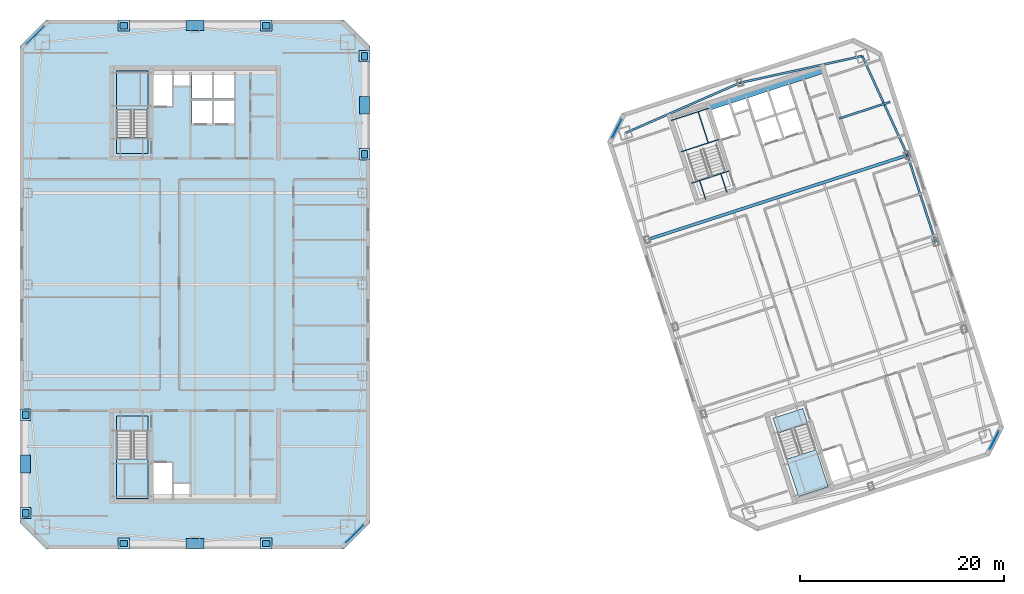
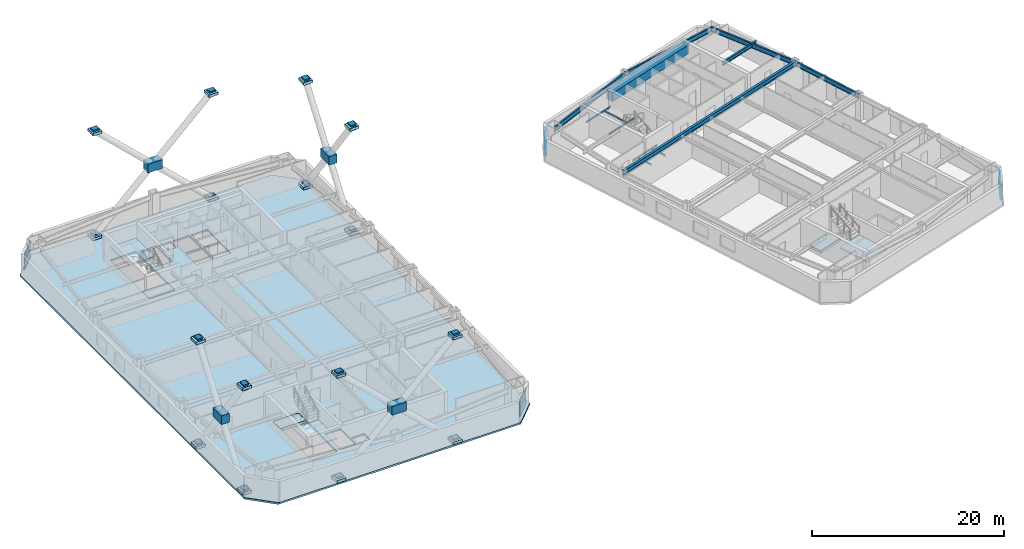
# One storey, part 15 of 25: 44 plates, 13 beams, 7 slabs, 7 elements without a shape of their own.
"""IFC4 building model written with IfcOpenShell, lengths in metres."""

from ifc_helpers import new_model, si_unit, direction, frame, origin, origin_2d, place, context, subcontext, project, spatial, polyline, rectangle, i_section, outline, extrude, material, layer, layer_set, material_profile, profile_set, type_object, element, aggregate, save


model = new_model("IFC4")

# Units and contexts
model_context = context("Model", 3, precision=1e-05, world=origin(), true_north=direction((0.0, 1.0)))
body_context = subcontext(model_context, "Body", "Model", "MODEL_VIEW")
ifc_project = project(units=[si_unit("LENGTHUNIT", "METRE"), si_unit("AREAUNIT", "SQUARE_METRE"), si_unit("VOLUMEUNIT", "CUBIC_METRE"), si_unit("PLANEANGLEUNIT", "RADIAN"), si_unit("MASSUNIT", "GRAM", prefix="KILO")], contexts=[model_context])

# Site, building, storey
site_placement = place(None, origin())
site = spatial("IfcSite", under=ifc_project, at=site_placement, CompositionType="ELEMENT")
building_placement = place(site_placement, origin())
building = spatial("IfcBuilding", under=site, at=building_placement, Name="Qiaolan Cultural Towers", CompositionType="ELEMENT")
storey_placement = place(building_placement, frame((0.0, 0.0, 202.39990234375)))
storey = spatial("IfcBuildingStorey", under=building, at=storey_placement, Name="L54", CompositionType="ELEMENT", Elevation=202.39990234375)

# Beams
ifc_material_1 = material(Name="Steel Q355B", Category="steel")
ifc_material_profile_1 = material_profile(ifc_material_1, i_section(OverallWidth=0.300048828125, OverallDepth=0.587890625, WebThickness=0.011962890625, FlangeThickness=0.02001953125, at=origin_2d()), Name="HM588x300x12x20")
ifc_profile_set_1 = profile_set([ifc_material_profile_1], Name="Steel Q355B")
beam_type_1 = type_object("IfcBeamType", Name="BM-HM588x300x12x20", PredefinedType="BEAM", material=ifc_profile_set_1)
beam_1_placement = place(storey_placement, frame((74.42724609375, 38.4033203125, 2.89599609375), z_axis=(0.951056543098, 0.309016911884, 0.0), x_axis=(-0.309016911884, 0.951056543098, 0.0)))
element("IfcBeam", 1, at=beam_1_placement, inside=storey, type_object=beam_type_1, Name="L54 T2 Primary Transverse Girder V3", PredefinedType="BEAM", context=body_context, shape_type="SweptSolid", body=[
    extrude(i_section(OverallWidth=0.300048828125, OverallDepth=0.587890625, WebThickness=0.011962890625, FlangeThickness=0.02001953125, at=origin_2d()), origin(), (0.0, 0.0, 1.0), 26.89990234375),
])
ifc_material_2 = material(Name="Steel Q355B", Category="steel")
ifc_material_profile_2 = material_profile(ifc_material_2, i_section(OverallWidth=0.199951171875, OverallDepth=0.449951171875, WebThickness=0.009033203125, FlangeThickness=0.013916015625, at=origin_2d()), Name="HN450x200x9x14")
ifc_profile_set_2 = profile_set([ifc_material_profile_2], Name="Steel Q355B")
beam_type_2 = type_object("IfcBeamType", Name="BM-LNT-HN450x200x9x14", PredefinedType="LINTEL", material=ifc_profile_set_2)
beam_2_placement = place(storey_placement, frame((93.31787109375, 50.32421875, 2.965087890625), z_axis=(0.951060037126, 0.309006158161, 0.0), x_axis=(-0.309006158161, 0.951060037126, 0.0)))
element("IfcBeam", 2, at=beam_2_placement, inside=storey, type_object=beam_type_2, Name="L54 T2 Core Flank Tie Lintel EN", PredefinedType="LINTEL", context=body_context, shape_type="SweptSolid", body=[
    extrude(i_section(OverallWidth=0.199951171875, OverallDepth=0.449951171875, WebThickness=0.009033203125, FlangeThickness=0.013916015625, at=origin_2d()), origin(), (0.0, 0.0, 1.0), 5.25),
])
ifc_material_3 = material(Name="Concrete C50", Category="concrete")
ifc_material_profile_3 = material_profile(ifc_material_3, rectangle(XDim=0.89990234375, YDim=1.10009765625, at=origin_2d()), Name="RC900x1100")
ifc_profile_set_3 = profile_set([ifc_material_profile_3], Name="Concrete C50")
beam_type_3 = type_object("IfcBeamType", Name="BM-RC900x1100", PredefinedType="BEAM", material=ifc_profile_set_3)
beam_3_placement = place(storey_placement, frame((80.427978515625, 51.551025390625, 2.64013671875), z_axis=(0.951056266386, 0.309017763514, 0.0), x_axis=(-0.309017763514, 0.951056266386, 0.0)))
element("IfcBeam", 3, at=beam_3_placement, inside=storey, type_object=beam_type_3, Name="L54 T2 Core Header Girder N", PredefinedType="BEAM", context=body_context, shape_type="SweptSolid", body=[
    extrude(rectangle(XDim=0.89990234375, YDim=1.10009765625, at=origin_2d()), origin(), (0.0, 0.0, 1.0), 11.880126953125),
])
ifc_material_4 = material(Name="Steel Q355B", Category="steel")
ifc_material_profile_4 = material_profile(ifc_material_4, i_section(OverallWidth=0.199951171875, OverallDepth=0.60009765625, WebThickness=0.010986328125, FlangeThickness=0.01708984375, at=origin_2d()), Name="HN600x200x11x17")
ifc_profile_set_4 = profile_set([ifc_material_profile_4], Name="Steel Q355B")
beam_type_4 = type_object("IfcBeamType", Name="BM-SPD-HN600x200x11x17", PredefinedType="SPANDREL", material=ifc_profile_set_4)
beam_4_placement = place(storey_placement, frame((102.791748046875, 38.15625, 2.89013671875), z_axis=(-0.309024734286, 0.951054001411, 0.0), x_axis=(-0.951054001411, -0.309024734286, 0.0)))
element("IfcBeam", 4, at=beam_4_placement, inside=storey, type_object=beam_type_4, Name="L54 T2 Perimeter Spandrel Beam 5", PredefinedType="SPANDREL", context=body_context, shape_type="SweptSolid", body=[
    extrude(i_section(OverallWidth=0.199951171875, OverallDepth=0.60009765625, WebThickness=0.010986328125, FlangeThickness=0.01708984375, at=origin_2d()), origin(), (0.0, 0.0, 1.0), 9.0),
])
beam_5_placement = place(storey_placement, frame((100.010498046875, 46.7158203125, 2.89013671875), z_axis=(-0.414500208282, 0.910049216985, 0.0), x_axis=(-0.910049216985, -0.414500208282, 0.0)))
element("IfcBeam", 5, at=beam_5_placement, inside=storey, type_object=beam_type_4, Name="L54 T2 Perimeter Spandrel Beam 6", PredefinedType="SPANDREL", context=body_context, shape_type="SweptSolid", body=[
    extrude(i_section(OverallWidth=0.199951171875, OverallDepth=0.60009765625, WebThickness=0.010986328125, FlangeThickness=0.01708984375, at=origin_2d()), origin(), (0.0, 0.0, 1.0), 10.70849609375),
])
beam_6_placement = place(storey_placement, frame((95.57177734375, 56.461181640625, 2.89013671875), z_axis=(-0.976843395078, -0.213955559619, 0.0), x_axis=(0.213955559619, -0.976843395078, 0.0)))
element("IfcBeam", 6, at=beam_6_placement, inside=storey, type_object=beam_type_4, Name="L54 T2 Perimeter Spandrel Beam 7", PredefinedType="SPANDREL", context=body_context, shape_type="SweptSolid", body=[
    extrude(i_section(OverallWidth=0.199951171875, OverallDepth=0.60009765625, WebThickness=0.010986328125, FlangeThickness=0.01708984375, at=origin_2d()), origin(), (0.0, 0.0, 1.0), 12.2998046875),
])
beam_7_placement = place(storey_placement, frame((83.556884765625, 53.82958984375, 2.89013671875), z_axis=(-0.916042038824, -0.401082264762, 0.0), x_axis=(0.401082264762, -0.916042038824, 0.0)))
element("IfcBeam", 7, at=beam_7_placement, inside=storey, type_object=beam_type_4, Name="L54 T2 Perimeter Spandrel Beam 8", PredefinedType="SPANDREL", context=body_context, shape_type="SweptSolid", body=[
    extrude(i_section(OverallWidth=0.199951171875, OverallDepth=0.60009765625, WebThickness=0.010986328125, FlangeThickness=0.01708984375, at=origin_2d()), origin(), (0.0, 0.0, 1.0), 12.299560546875),
])
ifc_material_5 = material(Name="Steel Q355B", Category="steel")
ifc_material_profile_5 = material_profile(ifc_material_5, i_section(OverallWidth=0.10009765625, OverallDepth=0.199951171875, WebThickness=0.005615234375, FlangeThickness=0.008056640625, at=origin_2d()), Name="HN200x100x5.5x8")
ifc_profile_set_5 = profile_set([ifc_material_profile_5], Name="Steel Q355B")
beam_type_5 = type_object("IfcBeamType", Name="BM-STTRIM-200", PredefinedType="BEAM", material=ifc_profile_set_5)
beam_8_placement = place(storey_placement, frame((78.773193359375, 43.958251953125, -0.4599609375), z_axis=(0.951072048947, 0.3089691857, 0.0), x_axis=(-0.3089691857, 0.951072048947, 0.0)))
element("IfcBeam", 8, at=beam_8_placement, inside=storey, type_object=beam_type_5, Name="L54 ST-E2 Floor Landing Header Beam", PredefinedType="BEAM", context=body_context, shape_type="SweptSolid", body=[
    extrude(i_section(OverallWidth=0.10009765625, OverallDepth=0.199951171875, WebThickness=0.005615234375, FlangeThickness=0.008056640625, at=origin_2d()), origin(), (0.0, 0.0, 1.0), 3.920166015625),
])
for number, where, z_axis, x_axis, name in (
    (9, (80.18115234375, 42.375732421875, -0.4599609375), (-0.308969394428, 0.951071981138, 0.0), (-0.951071981138, -0.308969394428, 0.0), "L54 ST-E2 Floor Landing Stringer 1"),
    (10, (82.2734375, 43.0556640625, -0.4599609375), (-0.308969394428, 0.951071981138, 0.0), (-0.951071981138, -0.308969394428, 0.0), "L54 ST-E2 Floor Landing Stringer 2"),
):
    element("IfcBeam", number, at=place(storey_placement, frame(where, z_axis=z_axis, x_axis=x_axis)), inside=storey, type_object=beam_type_5, Name=name, PredefinedType="BEAM", context=body_context, shape_type="SweptSolid", body=[
        extrude(i_section(OverallWidth=0.10009765625, OverallDepth=0.199951171875, WebThickness=0.005615234375, FlangeThickness=0.008056640625, at=origin_2d()), origin(), (0.0, 0.0, 1.0), 1.93994140625),
    ])
for number, where, z_axis, x_axis, name in (
    (11, (77.769287109375, 47.0478515625, 1.425048828125), (0.951053746643, 0.309025518358, 0.0), (-0.309025518358, 0.951053746643, 0.0), "L54 ST-E2 Stair Landing Support Beam 1-1"),
    (12, (76.770751953125, 50.12109375, 1.425048828125), (0.951072048947, 0.3089691857, 0.0), (-0.3089691857, 0.951072048947, 0.0), "L54 ST-E2 Stair Landing Support Beam 1-2"),
):
    element("IfcBeam", number, at=place(storey_placement, frame(where, z_axis=z_axis, x_axis=x_axis)), inside=storey, type_object=beam_type_5, Name=name, PredefinedType="BEAM", context=body_context, shape_type="SweptSolid", body=[
        extrude(i_section(OverallWidth=0.10009765625, OverallDepth=0.199951171875, WebThickness=0.005615234375, FlangeThickness=0.008056640625, at=origin_2d()), origin(), (0.0, 0.0, 1.0), 3.920166015625),
    ])
beam_9_placement = place(storey_placement, frame((80.44189453125, 47.916259765625, 1.425048828125), z_axis=(-0.309033108495, 0.951051280349, 0.0), x_axis=(-0.951051280349, -0.309033108495, 0.0)))
element("IfcBeam", 13, at=beam_9_placement, inside=storey, type_object=beam_type_5, Name="L54 ST-E2 Stair Landing Trimmer 1", PredefinedType="BEAM", context=body_context, shape_type="SweptSolid", body=[
    extrude(i_section(OverallWidth=0.10009765625, OverallDepth=0.199951171875, WebThickness=0.005615234375, FlangeThickness=0.008056640625, at=origin_2d()), origin(), (0.0, 0.0, 1.0), 3.231201171875),
])

# Curtain wall, plates
ifc_material_6 = material(Name="Unitized Anodized Aluminium Curtain Wall System", Category="aluminium")
ifc_layer_1 = layer(ifc_material_6, 0.199951171875)
ifc_layer_set_1 = layer_set([ifc_layer_1], Name="Unitized Anodized Aluminium Curtain Wall System")
curtain_wall_type = type_object("IfcCurtainWallType", Name="CWS-05", PredefinedType="NOTDEFINED", material=ifc_layer_set_1)
curtain_wall_1_placement = place(storey_placement, origin())
curtain_wall_1 = element("IfcCurtainWall", 14, at=curtain_wall_1_placement, inside=storey, type_object=curtain_wall_type, Name="L54 T1 Chamfer Wind-Corner Feature Curtain Wall 1", PredefinedType="NOTDEFINED")
ifc_material_7 = material(Name="Laminated Low-E Insulating Glass Unit", Category="glass")
ifc_layer_2 = layer(ifc_material_7, 0.035888671875)
ifc_layer_set_2 = layer_set([ifc_layer_2], Name="Laminated Low-E Insulating Glass Unit")
plate_type_1 = type_object("IfcPlateType", Name="CWS-05-PNL", PredefinedType="CURTAIN_PANEL", material=ifc_layer_set_2)
plate_1_placement = place(storey_placement, frame((14.300048828125, 58.5, 0.215087890625), z_axis=(0.0, 0.0, 1.0), x_axis=(0.707106781187, 0.707106781187, 0.0)))
plate_1 = element("IfcPlate", 15, at=plate_1_placement, type_object=plate_type_1, Name="CW-5 panel 1.1", PredefinedType="CURTAIN_PANEL", context=body_context, shape_type="SweptSolid", body=[
    extrude(rectangle(XDim=2.350341796875, YDim=0.035888671875, at=origin_2d()), origin(), (0.0, 0.0, 1.0), 1.00244140625),
])
plate_2_placement = place(storey_placement, frame((14.300048828125, 58.5, 1.282470703125), z_axis=(0.0, 0.0, 1.0), x_axis=(0.707106781187, 0.707106781187, 0.0)))
plate_2 = element("IfcPlate", 16, at=plate_2_placement, type_object=plate_type_1, Name="CW-5 panel 1.2", PredefinedType="CURTAIN_PANEL", context=body_context, shape_type="SweptSolid", body=[
    extrude(rectangle(XDim=2.350341796875, YDim=0.035888671875, at=origin_2d()), origin(), (0.0, 0.0, 1.0), 1.16259765625),
])
aggregate(curtain_wall_1, [plate_1, plate_2])

curtain_wall_2_placement = place(storey_placement, origin())
curtain_wall_2 = element("IfcCurtainWall", 17, at=curtain_wall_2_placement, inside=storey, type_object=curtain_wall_type, Name="L54 T1 Chamfer Wind-Corner Feature Curtain Wall 2", PredefinedType="NOTDEFINED")
plate_3_placement = place(storey_placement, frame((45.699951171875, 9.5, 0.215087890625), z_axis=(0.0, 0.0, 1.0), x_axis=(-0.707106781187, -0.707106781187, 0.0)))
plate_3 = element("IfcPlate", 18, at=plate_3_placement, type_object=plate_type_1, Name="CW-5 panel 1.1", PredefinedType="CURTAIN_PANEL", context=body_context, shape_type="SweptSolid", body=[
    extrude(rectangle(XDim=2.350341796875, YDim=0.035888671875, at=origin_2d()), origin(), (0.0, 0.0, 1.0), 1.00244140625),
])
plate_4_placement = place(storey_placement, frame((45.699951171875, 9.5, 1.282470703125), z_axis=(0.0, 0.0, 1.0), x_axis=(-0.707106781187, -0.707106781187, 0.0)))
plate_4 = element("IfcPlate", 19, at=plate_4_placement, type_object=plate_type_1, Name="CW-5 panel 1.2", PredefinedType="CURTAIN_PANEL", context=body_context, shape_type="SweptSolid", body=[
    extrude(rectangle(XDim=2.350341796875, YDim=0.035888671875, at=origin_2d()), origin(), (0.0, 0.0, 1.0), 1.16259765625),
])
aggregate(curtain_wall_2, [plate_3, plate_4])

curtain_wall_3_placement = place(storey_placement, origin())
curtain_wall_3 = element("IfcCurtainWall", 20, at=curtain_wall_3_placement, inside=storey, type_object=curtain_wall_type, Name="L54 T2 Chamfer Wind-Corner Feature Curtain Wall 1", PredefinedType="NOTDEFINED")
plate_5_placement = place(storey_placement, frame((71.458251953125, 49.320068359375, 0.215087890625), z_axis=(0.0, 0.0, 1.0), x_axis=(0.45399044755, 0.89100655078, 0.0)))
plate_5 = element("IfcPlate", 21, at=plate_5_placement, type_object=plate_type_1, Name="CW-5 panel 1.1", PredefinedType="CURTAIN_PANEL", context=body_context, shape_type="SweptSolid", body=[
    extrude(rectangle(XDim=1.965576171875, YDim=0.035888671875, at=origin_2d()), origin(), (0.0, 0.0, 1.0), 1.00244140625),
])
plate_6_placement = place(storey_placement, frame((71.458251953125, 49.320068359375, 1.282470703125), z_axis=(0.0, 0.0, 1.0), x_axis=(0.45399044755, 0.89100655078, 0.0)))
plate_6 = element("IfcPlate", 22, at=plate_6_placement, type_object=plate_type_1, Name="CW-5 panel 1.2", PredefinedType="CURTAIN_PANEL", context=body_context, shape_type="SweptSolid", body=[
    extrude(rectangle(XDim=1.965576171875, YDim=0.035888671875, at=origin_2d()), origin(), (0.0, 0.0, 1.0), 1.16259765625),
])
aggregate(curtain_wall_3, [plate_5, plate_6])

curtain_wall_4_placement = place(storey_placement, origin())
curtain_wall_4 = element("IfcCurtainWall", 23, at=curtain_wall_4_placement, inside=storey, type_object=curtain_wall_type, Name="L54 T2 Chamfer Wind-Corner Feature Curtain Wall 2", PredefinedType="NOTDEFINED")
plate_7_placement = place(storey_placement, frame((108.541748046875, 18.679931640625, 0.215087890625), z_axis=(0.0, 0.0, 1.0), x_axis=(-0.45399044755, -0.89100655078, 0.0)))
plate_7 = element("IfcPlate", 24, at=plate_7_placement, type_object=plate_type_1, Name="CW-5 panel 1.1", PredefinedType="CURTAIN_PANEL", context=body_context, shape_type="SweptSolid", body=[
    extrude(rectangle(XDim=1.965576171875, YDim=0.035888671875, at=origin_2d()), origin(), (0.0, 0.0, 1.0), 1.00244140625),
])
plate_8_placement = place(storey_placement, frame((108.541748046875, 18.679931640625, 1.282470703125), z_axis=(0.0, 0.0, 1.0), x_axis=(-0.45399044755, -0.89100655078, 0.0)))
plate_8 = element("IfcPlate", 25, at=plate_8_placement, type_object=plate_type_1, Name="CW-5 panel 1.2", PredefinedType="CURTAIN_PANEL", context=body_context, shape_type="SweptSolid", body=[
    extrude(rectangle(XDim=1.965576171875, YDim=0.035888671875, at=origin_2d()), origin(), (0.0, 0.0, 1.0), 1.16259765625),
])
aggregate(curtain_wall_4, [plate_7, plate_8])

# Plates
ifc_material_8 = material(Name="Steel Q355B", Category="steel")
ifc_layer_3 = layer(ifc_material_8, 0.035888671875)
ifc_layer_set_3 = layer_set([ifc_layer_3], Name="Steel Q355B")
plate_type_2 = type_object("IfcPlateType", Name="PL-CONN-36", PredefinedType="USERDEFINED", material=ifc_layer_set_3)
for number, where, z_axis, x_axis, name in (
    (26, (13.35009765625, 11.550048828125, -0.2197265625), (0.0, 0.0, 1.0), (0.0, 1.0, 0.0), "L54 Brace End Connection Gusset Plate GP-02-0348"),
    (27, (13.35009765625, 21.199951171875, 13.1298828125), (0.0, 0.0, 1.0), (0.0, 1.0, 0.0), "L54 Brace End Connection Gusset Plate GP-02-0349"),
    (28, (13.35009765625, 21.199951171875, -0.2197265625), (0.0, 0.0, 1.0), (0.0, 1.0, 0.0), "L54 Brace End Connection Gusset Plate GP-02-0350"),
    (29, (13.35009765625, 11.550048828125, 13.1298828125), (0.0, 0.0, 1.0), (0.0, 1.0, 0.0), "L54 Brace End Connection Gusset Plate GP-02-0351"),
    (30, (46.64990234375, 46.800048828125, -0.2197265625), (0.0, 0.0, 1.0), (0.0, 1.0, 0.0), "L54 Brace End Connection Gusset Plate GP-02-0352"),
    (31, (46.64990234375, 56.449951171875, 13.1298828125), (0.0, 0.0, 1.0), (0.0, 1.0, 0.0), "L54 Brace End Connection Gusset Plate GP-02-0353"),
    (32, (46.64990234375, 56.449951171875, -0.2197265625), (0.0, 0.0, 1.0), (0.0, 1.0, 0.0), "L54 Brace End Connection Gusset Plate GP-02-0354"),
    (33, (46.64990234375, 46.800048828125, 13.1298828125), (0.0, 0.0, 1.0), (0.0, 1.0, 0.0), "L54 Brace End Connection Gusset Plate GP-02-0355"),
    (34, (23.0, 8.550048828125, -0.2197265625), (0.0, 0.0, 1.0), (1.0, 0.0, 0.0), "L54 Brace End Connection Gusset Plate GP-02-0356"),
    (35, (37.0, 8.550048828125, 13.1298828125), (0.0, 0.0, 1.0), (1.0, 0.0, 0.0), "L54 Brace End Connection Gusset Plate GP-02-0357"),
    (36, (37.0, 8.550048828125, -0.2197265625), (0.0, 0.0, 1.0), (1.0, 0.0, 0.0), "L54 Brace End Connection Gusset Plate GP-02-0358"),
    (37, (23.0, 8.550048828125, 13.1298828125), (0.0, 0.0, 1.0), (1.0, 0.0, 0.0), "L54 Brace End Connection Gusset Plate GP-02-0359"),
    (38, (23.0, 59.449951171875, -0.2197265625), (0.0, 0.0, 1.0), (1.0, 0.0, 0.0), "L54 Brace End Connection Gusset Plate GP-02-0360"),
    (39, (37.0, 59.449951171875, 13.1298828125), (0.0, 0.0, 1.0), (1.0, 0.0, 0.0), "L54 Brace End Connection Gusset Plate GP-02-0361"),
    (40, (37.0, 59.449951171875, -0.2197265625), (0.0, 0.0, 1.0), (1.0, 0.0, 0.0), "L54 Brace End Connection Gusset Plate GP-02-0362"),
    (41, (23.0, 59.449951171875, 13.1298828125), (0.0, 0.0, 1.0), (1.0, 0.0, 0.0), "L54 Brace End Connection Gusset Plate GP-02-0363"),
):
    element("IfcPlate", number, at=place(storey_placement, frame(where, z_axis=z_axis, x_axis=x_axis)), inside=storey, type_object=plate_type_2, Name=name, ObjectType="GUSSET_PLATE", PredefinedType="USERDEFINED", context=body_context, shape_type="SweptSolid", body=[
        extrude(rectangle(XDim=0.739990234375, YDim=0.6201171875, at=origin_2d()), origin(), (0.0, 0.0, 1.0), 0.739990234375),
    ])
ifc_material_9 = material(Name="Steel Q355B", Category="steel")
ifc_layer_4 = layer(ifc_material_9, 0.030029296875)
ifc_layer_set_4 = layer_set([ifc_layer_4], Name="Steel Q355B")
plate_type_3 = type_object("IfcPlateType", Name="PL-ENDCAP-30", PredefinedType="USERDEFINED", material=ifc_layer_set_4)
for number, where, z_axis, x_axis, name in (
    (42, (13.35009765625, 11.550048828125, -0.02490234375), (0.0, 0.0, 1.0), (0.0, 1.0, 0.0), "Hollow Brace End Seal Cap Plate CP-01"),
    (43, (13.35009765625, 21.199951171875, -0.02490234375), (0.0, 0.0, 1.0), (0.0, 1.0, 0.0), "Hollow Brace End Seal Cap Plate CP-01"),
    (44, (13.35009765625, 11.550048828125, 13.324951171875), (0.0, 0.0, 1.0), (0.0, 1.0, 0.0), "Hollow Brace End Seal Cap Plate CP-01"),
    (45, (13.35009765625, 21.199951171875, 13.324951171875), (0.0, 0.0, 1.0), (0.0, 1.0, 0.0), "Hollow Brace End Seal Cap Plate CP-01"),
    (46, (46.64990234375, 46.800048828125, -0.02490234375), (0.0, 0.0, 1.0), (0.0, 1.0, 0.0), "Hollow Brace End Seal Cap Plate CP-01"),
    (47, (46.64990234375, 56.449951171875, -0.02490234375), (0.0, 0.0, 1.0), (0.0, 1.0, 0.0), "Hollow Brace End Seal Cap Plate CP-01"),
    (48, (46.64990234375, 46.800048828125, 13.324951171875), (0.0, 0.0, 1.0), (0.0, 1.0, 0.0), "Hollow Brace End Seal Cap Plate CP-01"),
    (49, (46.64990234375, 56.449951171875, 13.324951171875), (0.0, 0.0, 1.0), (0.0, 1.0, 0.0), "Hollow Brace End Seal Cap Plate CP-01"),
    (50, (23.0, 8.550048828125, -0.02490234375), (0.0, 0.0, 1.0), (1.0, 0.0, 0.0), "Hollow Brace End Seal Cap Plate CP-01"),
    (51, (37.0, 8.550048828125, -0.02490234375), (0.0, 0.0, 1.0), (1.0, 0.0, 0.0), "Hollow Brace End Seal Cap Plate CP-01"),
    (52, (23.0, 8.550048828125, 13.324951171875), (0.0, 0.0, 1.0), (1.0, 0.0, 0.0), "Hollow Brace End Seal Cap Plate CP-01"),
    (53, (37.0, 8.550048828125, 13.324951171875), (0.0, 0.0, 1.0), (1.0, 0.0, 0.0), "Hollow Brace End Seal Cap Plate CP-01"),
    (54, (23.0, 59.449951171875, -0.02490234375), (0.0, 0.0, 1.0), (1.0, 0.0, 0.0), "Hollow Brace End Seal Cap Plate CP-01"),
    (55, (37.0, 59.449951171875, -0.02490234375), (0.0, 0.0, 1.0), (1.0, 0.0, 0.0), "Hollow Brace End Seal Cap Plate CP-01"),
    (56, (23.0, 59.449951171875, 13.324951171875), (0.0, 0.0, 1.0), (1.0, 0.0, 0.0), "Hollow Brace End Seal Cap Plate CP-01"),
    (57, (37.0, 59.449951171875, 13.324951171875), (0.0, 0.0, 1.0), (1.0, 0.0, 0.0), "Hollow Brace End Seal Cap Plate CP-01"),
):
    element("IfcPlate", number, at=place(storey_placement, frame(where, z_axis=z_axis, x_axis=x_axis)), inside=storey, type_object=plate_type_3, Name=name, ObjectType="BASE_PLATE", PredefinedType="USERDEFINED", context=body_context, shape_type="SweptSolid", body=[
        extrude(rectangle(XDim=1.10009765625, YDim=1.10009765625, at=origin_2d()), origin(), (0.0, 0.0, 1.0), 0.35009765625),
    ])
ifc_material_10 = material(Name="Steel Q390GJB", Category="steel")
ifc_layer_5 = layer(ifc_material_10, 0.0439453125)
ifc_layer_set_5 = layer_set([ifc_layer_5], Name="Steel Q390GJB")
plate_type_4 = type_object("IfcPlateType", Name="PL-NODE-ND02", PredefinedType="USERDEFINED", material=ifc_layer_set_5)
plate_9_placement = place(storey_placement, frame((13.35009765625, 16.375, 6.275146484375), z_axis=(0.0, 0.0, 1.0), x_axis=(0.0, 1.0, 0.0)))
element("IfcPlate", 58, at=plate_9_placement, inside=storey, type_object=plate_type_4, Name="Perimeter Frame Gusset Node Assembly ND-02", ObjectType="GUSSET_PLATE", PredefinedType="USERDEFINED", context=body_context, shape_type="SweptSolid", body=[
    extrude(rectangle(XDim=1.760009765625, YDim=0.9599609375, at=origin_2d()), origin(), (0.0, 0.0, 1.0), 1.10009765625),
])
ifc_material_11 = material(Name="Steel Q390GJB", Category="steel")
ifc_layer_6 = layer(ifc_material_11, 0.0458984375)
ifc_layer_set_6 = layer_set([ifc_layer_6], Name="Steel Q390GJB")
plate_type_5 = type_object("IfcPlateType", Name="PL-NODE-ND03", PredefinedType="USERDEFINED", material=ifc_layer_set_6)
plate_10_placement = place(storey_placement, frame((46.64990234375, 51.625, 6.275146484375), z_axis=(0.0, 0.0, 1.0), x_axis=(0.0, 1.0, 0.0)))
element("IfcPlate", 59, at=plate_10_placement, inside=storey, type_object=plate_type_5, Name="Perimeter Frame Gusset Node Assembly ND-03", ObjectType="GUSSET_PLATE", PredefinedType="USERDEFINED", context=body_context, shape_type="SweptSolid", body=[
    extrude(rectangle(XDim=1.760009765625, YDim=0.9599609375, at=origin_2d()), origin(), (0.0, 0.0, 1.0), 1.10009765625),
])
ifc_material_12 = material(Name="Steel Q390GJB", Category="steel")
ifc_layer_7 = layer(ifc_material_12, 0.0400390625)
ifc_layer_set_7 = layer_set([ifc_layer_7], Name="Steel Q390GJB")
plate_type_6 = type_object("IfcPlateType", Name="PL-NODE-ND04", PredefinedType="USERDEFINED", material=ifc_layer_set_7)
plate_11_placement = place(storey_placement, frame((30.0, 8.550048828125, 6.275146484375), z_axis=(0.0, 0.0, 1.0), x_axis=(1.0, 0.0, 0.0)))
element("IfcPlate", 60, at=plate_11_placement, inside=storey, type_object=plate_type_6, Name="Perimeter Frame Gusset Node Assembly ND-04", ObjectType="GUSSET_PLATE", PredefinedType="USERDEFINED", context=body_context, shape_type="SweptSolid", body=[
    extrude(rectangle(XDim=1.760009765625, YDim=0.9599609375, at=origin_2d()), origin(), (0.0, 0.0, 1.0), 1.10009765625),
])
ifc_material_13 = material(Name="Steel Q390GJB", Category="steel")
ifc_layer_8 = layer(ifc_material_13, 0.0419921875)
ifc_layer_set_8 = layer_set([ifc_layer_8], Name="Steel Q390GJB")
plate_type_7 = type_object("IfcPlateType", Name="PL-NODE-ND05", PredefinedType="USERDEFINED", material=ifc_layer_set_8)
plate_12_placement = place(storey_placement, frame((30.0, 59.449951171875, 6.275146484375), z_axis=(0.0, 0.0, 1.0), x_axis=(1.0, 0.0, 0.0)))
element("IfcPlate", 61, at=plate_12_placement, inside=storey, type_object=plate_type_7, Name="Perimeter Frame Gusset Node Assembly ND-05", ObjectType="GUSSET_PLATE", PredefinedType="USERDEFINED", context=body_context, shape_type="SweptSolid", body=[
    extrude(rectangle(XDim=1.760009765625, YDim=0.9599609375, at=origin_2d()), origin(), (0.0, 0.0, 1.0), 1.10009765625),
])

# Stair, slab
ifc_material_14 = material(Name="Concrete C45", Category="concrete")
stair_type = type_object("IfcStairType", Name="STR-CORE-1500", PredefinedType="HALF_TURN_STAIR", material=ifc_material_14)
stair_1_placement = place(storey_placement, origin())
stair_1 = element("IfcStair", 62, at=stair_1_placement, inside=storey, type_object=stair_type, Name="L54 Smokeproof Exit Stair ST-W1", PredefinedType="HALF_TURN_STAIR")
ifc_material_15 = material(Name="Concrete C45", Category="concrete")
ifc_layer_9 = layer(ifc_material_15, 0.199951171875)
ifc_layer_set_9 = layer_set([ifc_layer_9], Name="Concrete C45")
slab_type_1 = type_object("IfcSlabType", Name="SL-STAIR-LAND", PredefinedType="LANDING", material=ifc_layer_set_9)
slab_1_placement = place(storey_placement, frame((0.0, 0.0, 1.525146484375)))
slab_1 = element("IfcSlab", 63, at=slab_1_placement, type_object=slab_type_1, Name="ST-W1 landing 1", PredefinedType="LANDING", context=body_context, shape_type="SweptSolid", body=[
    extrude(outline(polyline([(22.300048828125, 16.851318359375), (22.300048828125, 13.0), (25.3798828125, 13.0), (25.3798828125, 16.851318359375), (22.300048828125, 16.851318359375)])), origin(), (0.0, 0.0, 1.0), 0.199951171875),
])
aggregate(stair_1, [slab_1])

stair_2_placement = place(storey_placement, origin())
stair_2 = element("IfcStair", 64, at=stair_2_placement, inside=storey, type_object=stair_type, Name="L54 Smokeproof Exit Stair ST-W2", PredefinedType="HALF_TURN_STAIR")
slab_2_placement = place(storey_placement, frame((0.0, 0.0, 1.525146484375)))
slab_2 = element("IfcSlab", 65, at=slab_2_placement, type_object=slab_type_1, Name="ST-W2 landing 1", PredefinedType="LANDING", context=body_context, shape_type="SweptSolid", body=[
    extrude(outline(polyline([(25.3798828125, 51.148681640625), (25.3798828125, 55.0), (22.300048828125, 55.0), (22.300048828125, 51.148681640625), (25.3798828125, 51.148681640625)])), origin(), (0.0, 0.0, 1.0), 0.199951171875),
])
aggregate(stair_2, [slab_2])

stair_3_placement = place(storey_placement, origin())
stair_3 = element("IfcStair", 66, at=stair_3_placement, inside=storey, type_object=stair_type, Name="L54 Smokeproof Exit Stair ST-E1", PredefinedType="HALF_TURN_STAIR")
slab_3_placement = place(storey_placement, frame((0.0, 0.0, 1.525146484375)))
slab_3 = element("IfcSlab", 67, at=slab_3_placement, type_object=slab_type_1, Name="ST-E1 landing 1", PredefinedType="LANDING", context=body_context, shape_type="SweptSolid", body=[
    extrude(outline(polyline([(88.114013671875, 16.828125), (89.30419921875, 13.165283203125), (92.2333984375, 14.116943359375), (91.04345703125, 17.77978515625), (88.114013671875, 16.828125)])), origin(), (0.0, 0.0, 1.0), 0.199951171875),
])
aggregate(stair_3, [slab_3])

# Slabs
ifc_material_16 = material(Name="Concrete C40", Category="concrete")
ifc_layer_10 = layer(ifc_material_16, 0.360107421875)
ifc_layer_set_10 = layer_set([ifc_layer_10], Name="Concrete C40")
slab_type_2 = type_object("IfcSlabType", Name="SL-STFLR-360", PredefinedType="LANDING", material=ifc_layer_set_10)
slab_4_placement = place(storey_placement, frame((0.0, 0.0, -0.35986328125)))
element("IfcSlab", 68, at=slab_4_placement, inside=storey, type_object=slab_type_2, Name="L54 ST-W1 Stair Floor Landing Slab", PredefinedType="LANDING", context=body_context, shape_type="SweptSolid", body=[
    extrude(outline(polyline([(22.302001953125, 21.097900390625), (22.302001953125, 19.548583984375), (25.3779296875, 19.548583984375), (25.3779296875, 21.097900390625), (22.302001953125, 21.097900390625)])), origin(), (0.0, 0.0, 1.0), 0.35986328125),
])
slab_5_placement = place(storey_placement, frame((0.0, 0.0, -0.35986328125)))
element("IfcSlab", 69, at=slab_5_placement, inside=storey, type_object=slab_type_2, Name="L54 ST-W2 Stair Floor Landing Slab", PredefinedType="LANDING", context=body_context, shape_type="SweptSolid", body=[
    extrude(outline(polyline([(25.3779296875, 46.902099609375), (25.3779296875, 48.451416015625), (22.302001953125, 48.451416015625), (22.302001953125, 46.902099609375), (25.3779296875, 46.902099609375)])), origin(), (0.0, 0.0, 1.0), 0.35986328125),
])
slab_6_placement = place(storey_placement, frame((0.0, 0.0, -0.35986328125)))
element("IfcSlab", 70, at=slab_6_placement, inside=storey, type_object=slab_type_2, Name="L54 ST-E1 Stair Floor Landing Slab", PredefinedType="LANDING", context=body_context, shape_type="SweptSolid", body=[
    extrude(outline(polyline([(86.8037109375, 20.867431640625), (87.282470703125, 19.39404296875), (90.2080078125, 20.3447265625), (89.729248046875, 21.818115234375), (86.8037109375, 20.867431640625)])), origin(), (0.0, 0.0, 1.0), 0.35986328125),
])
ifc_material_17 = material(Name="Concrete C45", Category="concrete")
ifc_layer_11 = layer(ifc_material_17, 0.219970703125)
ifc_layer_set_11 = layer_set([ifc_layer_11], Name="Concrete C45")
slab_type_3 = type_object("IfcSlabType", Name="SL-TYP-220", PredefinedType="FLOOR", material=ifc_layer_set_11)
slab_7_placement = place(storey_placement, frame((0.0, 0.0, -0.219970703125)))
element("IfcSlab", 71, at=slab_7_placement, inside=storey, type_object=slab_type_3, Name="L54 West Tower Floor Slab", PredefinedType="FLOOR", context=body_context, shape_type="SweptSolid", body=[
    extrude(outline(polyline([(15.39990234375, 8.0), (44.60009765625, 8.0), (47.199951171875, 10.60009765625), (47.199951171875, 57.39990234375), (44.60009765625, 60.0), (15.39990234375, 60.0), (12.800048828125, 57.39990234375), (12.800048828125, 10.60009765625), (15.39990234375, 8.0)]), holes=[polyline([(22.300048828125, 21.10009765625), (22.300048828125, 13.0), (25.3798828125, 13.0), (25.3798828125, 21.10009765625), (22.300048828125, 21.10009765625)]), polyline([(25.3798828125, 46.89990234375), (25.3798828125, 55.0), (22.300048828125, 55.0), (22.300048828125, 46.89990234375), (25.3798828125, 46.89990234375)]), polyline([(25.89990234375, 13.199951171875), (27.75, 13.199951171875), (27.75, 16.449951171875), (25.89990234375, 16.449951171875), (25.89990234375, 13.199951171875)]), polyline([(27.93994140625, 13.25), (29.449951171875, 13.25), (29.449951171875, 14.419921875), (27.93994140625, 14.419921875), (27.93994140625, 13.25)]), polyline([(25.89990234375, 51.550048828125), (27.75, 51.550048828125), (27.75, 54.800048828125), (25.89990234375, 54.800048828125), (25.89990234375, 51.550048828125)]), polyline([(27.93994140625, 53.580078125), (29.449951171875, 53.580078125), (29.449951171875, 54.75), (27.93994140625, 54.75), (27.93994140625, 53.580078125)]), polyline([(29.679931640625, 49.820068359375), (31.679931640625, 49.820068359375), (31.679931640625, 52.080078125), (29.679931640625, 52.080078125), (29.679931640625, 49.820068359375)]), polyline([(31.8798828125, 49.820068359375), (33.820068359375, 49.820068359375), (33.820068359375, 52.080078125), (31.8798828125, 52.080078125), (31.8798828125, 49.820068359375)]), polyline([(29.679931640625, 52.27001953125), (31.659912109375, 52.27001953125), (31.659912109375, 54.75), (29.679931640625, 54.75), (29.679931640625, 52.27001953125)]), polyline([(31.8798828125, 52.27001953125), (33.820068359375, 52.27001953125), (33.820068359375, 54.75), (31.8798828125, 54.75), (31.8798828125, 52.27001953125)])]), origin(), (0.0, 0.0, 1.0), 0.219970703125),
])

save(model, "model.ifc")
